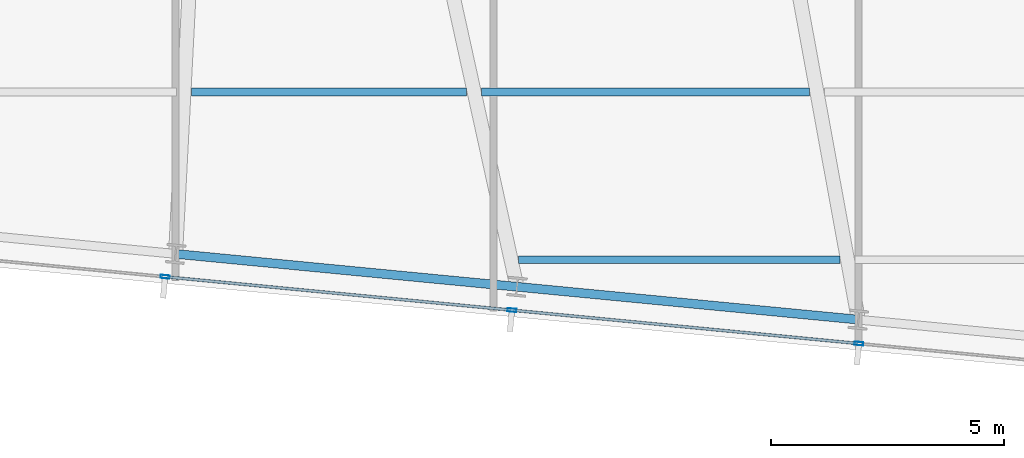
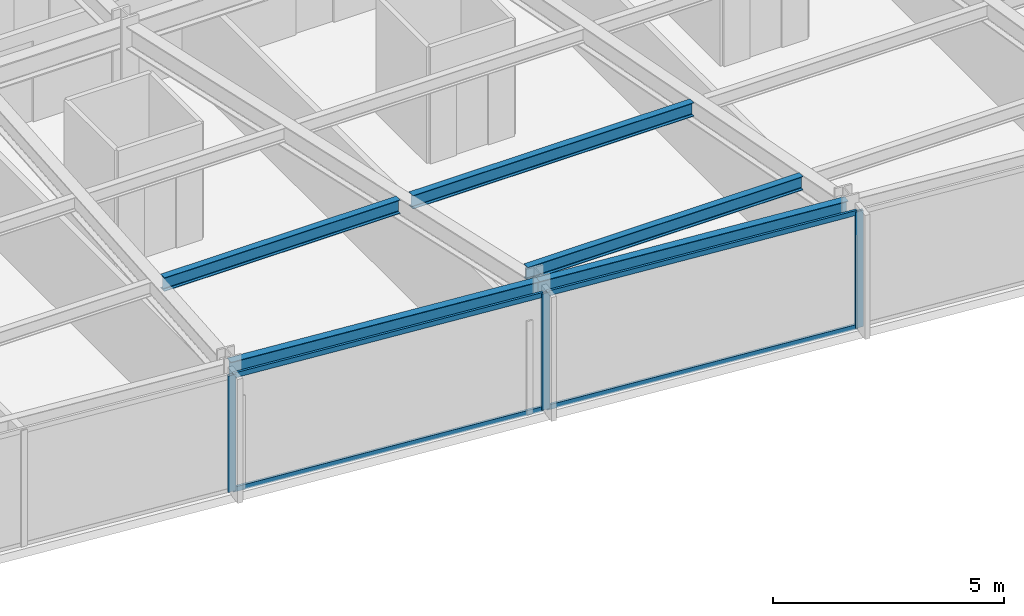
# One storey, part 6 of 38: 7 members, 5 beams, 1 element without a shape of its own.
"""IFC4 building model written with IfcOpenShell, lengths in metres."""

from ifc_helpers import new_model, si_unit, direction, frame, origin, origin_2d, place, context, subcontext, project, spatial, hollow_rectangle, i_section, extrude, material, material_profile, profile_set, type_object, element, aggregate, save


model = new_model("IFC4")

# Units and contexts
model_context = context("Model", 3, precision=1e-05, world=origin(), true_north=direction((0.0, 1.0)))
body_context = subcontext(model_context, "Body", "Model", "MODEL_VIEW")
ifc_project = project(units=[si_unit("LENGTHUNIT", "METRE"), si_unit("AREAUNIT", "SQUARE_METRE"), si_unit("VOLUMEUNIT", "CUBIC_METRE"), si_unit("PLANEANGLEUNIT", "RADIAN"), si_unit("MASSUNIT", "GRAM", prefix="KILO")], contexts=[model_context])

# Site, building, storey
site_placement = place(None, origin())
site = spatial("IfcSite", under=ifc_project, at=site_placement, CompositionType="ELEMENT")
building_placement = place(site_placement, origin())
building = spatial("IfcBuilding", under=site, at=building_placement, Name="Yelkora Congress Tower", CompositionType="ELEMENT")
storey_placement = place(building_placement, frame((0.0, 0.0, 172.10009765625)))
storey = spatial("IfcBuildingStorey", under=building, at=storey_placement, Name="L47", CompositionType="ELEMENT", Elevation=172.10009765625)

# Beams
ifc_material_1 = material(Name="Steel S355J2", Category="steel")
ifc_material_profile_1 = material_profile(ifc_material_1, i_section(OverallWidth=0.169921875, OverallDepth=0.360107421875, WebThickness=0.008056640625, FlangeThickness=0.0126953125, FilletRadius=0.01806640625, at=origin_2d()), Name="IPE 360")
ifc_profile_set_1 = profile_set([ifc_material_profile_1], Name="Steel S355J2")
beam_type_1 = type_object("IfcBeamType", Name="BM-JOIST-IPE360", PredefinedType="JOIST", material=ifc_profile_set_1)
beam_1_placement = place(storey_placement, frame((25.921630859375, 12.8212890625, 2.89990234375), z_axis=(1.0, 0.0, 0.0), x_axis=(0.0, 1.0, 0.0)))
element("IfcBeam", 1, at=beam_1_placement, inside=storey, type_object=beam_type_1, Name="L47 Composite Floor Joist 1", PredefinedType="JOIST", context=body_context, shape_type="SweptSolid", body=[
    extrude(i_section(OverallWidth=0.169921875, OverallDepth=0.360107421875, WebThickness=0.008056640625, FlangeThickness=0.0126953125, FilletRadius=0.01806640625, at=origin_2d()), origin(), (0.0, 0.0, 1.0), 6.896484375),
])
beam_2_placement = place(storey_placement, frame((18.905517578125, 16.421142578125, 2.89990234375), z_axis=(1.0, 0.0, 0.0), x_axis=(0.0, 1.0, 0.0)))
element("IfcBeam", 2, at=beam_2_placement, inside=storey, type_object=beam_type_1, Name="L47 Composite Floor Joist 7", PredefinedType="JOIST", context=body_context, shape_type="SweptSolid", body=[
    extrude(i_section(OverallWidth=0.169921875, OverallDepth=0.360107421875, WebThickness=0.008056640625, FlangeThickness=0.0126953125, FilletRadius=0.01806640625, at=origin_2d()), origin(), (0.0, 0.0, 1.0), 5.904541015625),
])
beam_3_placement = place(storey_placement, frame((25.130126953125, 16.421142578125, 2.89990234375), z_axis=(1.0, 0.0, 0.0), x_axis=(0.0, 1.0, 0.0)))
element("IfcBeam", 3, at=beam_3_placement, inside=storey, type_object=beam_type_1, Name="L47 Composite Floor Joist 8", PredefinedType="JOIST", context=body_context, shape_type="SweptSolid", body=[
    extrude(i_section(OverallWidth=0.169921875, OverallDepth=0.360107421875, WebThickness=0.008056640625, FlangeThickness=0.0126953125, FilletRadius=0.01806640625, at=origin_2d()), origin(), (0.0, 0.0, 1.0), 7.03125),
])
ifc_material_profile_2 = material_profile(ifc_material_1, i_section(OverallWidth=0.18994140625, OverallDepth=0.449951171875, WebThickness=0.009521484375, FlangeThickness=0.0146484375, FilletRadius=0.02099609375, at=origin_2d()), Name="IPE 450")
ifc_profile_set_2 = profile_set([ifc_material_profile_2], Name="Steel S355J2")
beam_type_2 = type_object("IfcBeamType", Name="BM-SPAN-IPE450", PredefinedType="SPANDREL", material=ifc_profile_set_2)
beam_4_placement = place(storey_placement, frame((18.56591796875, 12.947021484375, 2.85498046875), z_axis=(0.99539363353, -0.09587238564, 0.0), x_axis=(0.09587238564, 0.99539363353, 0.0)))
element("IfcBeam", 4, at=beam_4_placement, inside=storey, type_object=beam_type_2, Name="L47 Perimeter Beam 4", PredefinedType="SPANDREL", context=body_context, shape_type="SweptSolid", body=[
    extrude(i_section(OverallWidth=0.18994140625, OverallDepth=0.449951171875, WebThickness=0.009521484375, FlangeThickness=0.0146484375, FilletRadius=0.02099609375, at=origin_2d()), origin(), (0.0, 0.0, 1.0), 7.35693359375),
])
beam_5_placement = place(storey_placement, frame((25.888916015625, 12.24169921875, 2.85498046875), z_axis=(0.995397409467, -0.095833173935, 0.0), x_axis=(0.095833173935, 0.995397409467, 0.0)))
element("IfcBeam", 5, at=beam_5_placement, inside=storey, type_object=beam_type_2, Name="L47 Perimeter Beam 5", PredefinedType="SPANDREL", context=body_context, shape_type="SweptSolid", body=[
    extrude(i_section(OverallWidth=0.18994140625, OverallDepth=0.449951171875, WebThickness=0.009521484375, FlangeThickness=0.0146484375, FilletRadius=0.02099609375, at=origin_2d()), origin(), (0.0, 0.0, 1.0), 7.357421875),
])

# Curtain wall, members
ifc_material_2 = material(Name="Anodised aluminium and insulated glass", Category="aluminium")
curtain_wall_type = type_object("IfcCurtainWallType", Name="CW-SYS-B3", PredefinedType="NOTDEFINED", material=ifc_material_2)
curtain_wall_placement = place(storey_placement, origin())
curtain_wall = element("IfcCurtainWall", 6, at=curtain_wall_placement, inside=storey, type_object=curtain_wall_type, Name="L47 Unitised Curtain Wall 20", PredefinedType="NOTDEFINED")
ifc_material_3 = material(Name="Anodised aluminium 6063-T6", Category="aluminium")
ifc_material_profile_3 = material_profile(ifc_material_3, hollow_rectangle(XDim=0.070068359375, YDim=0.18994140625, WallThickness=0.00390625, at=origin_2d()), Name="ALU 70x190x4")
ifc_profile_set_3 = profile_set([ifc_material_profile_3], Name="Anodised aluminium 6063-T6")
member_type_1 = type_object("IfcMemberType", Name="MEM-ML-B3", PredefinedType="MULLION", material=ifc_profile_set_3)
member_1_placement = place(storey_placement, frame((33.2216796875, 11.0234375, 0.0), z_axis=(0.0, 0.0, 1.0), x_axis=(-0.095844680679, -0.995396301573, 0.0)))
member_1 = element("IfcMember", 7, at=member_1_placement, type_object=member_type_1, Name="CW-B3 mullion 4", PredefinedType="MULLION", context=body_context, shape_type="SweptSolid", body=[
    extrude(hollow_rectangle(XDim=0.070068359375, YDim=0.18994140625, WallThickness=0.00390625, at=origin_2d()), origin(), (0.0, 0.0, 1.0), 3.079833984375),
])
member_2_placement = place(storey_placement, frame((25.78173828125, 11.73974609375, 0.0), z_axis=(0.0, 0.0, 1.0), x_axis=(-0.095844680679, -0.995396301573, 0.0)))
member_2 = element("IfcMember", 8, at=member_2_placement, type_object=member_type_1, Name="CW-B3 mullion 5", PredefinedType="MULLION", context=body_context, shape_type="SweptSolid", body=[
    extrude(hollow_rectangle(XDim=0.070068359375, YDim=0.18994140625, WallThickness=0.00390625, at=origin_2d()), origin(), (0.0, 0.0, 1.0), 3.079833984375),
])
member_3_placement = place(storey_placement, frame((18.342041015625, 12.4560546875, 0.0), z_axis=(0.0, 0.0, 1.0), x_axis=(-0.095844680679, -0.995396301573, 0.0)))
member_3 = element("IfcMember", 9, at=member_3_placement, type_object=member_type_1, Name="CW-B3 mullion 6", PredefinedType="MULLION", context=body_context, shape_type="SweptSolid", body=[
    extrude(hollow_rectangle(XDim=0.070068359375, YDim=0.18994140625, WallThickness=0.00390625, at=origin_2d()), origin(), (0.0, 0.0, 1.0), 3.079833984375),
])
ifc_material_profile_4 = material_profile(ifc_material_3, hollow_rectangle(XDim=0.06005859375, YDim=0.1298828125, WallThickness=0.00390625, at=origin_2d()), Name="ALU 60x130x4")
ifc_profile_set_4 = profile_set([ifc_material_profile_4], Name="Anodised aluminium 6063-T6")
member_type_2 = type_object("IfcMemberType", Name="MEM-TR-B3", PredefinedType="USERDEFINED", material=ifc_profile_set_4)
member_4_placement = place(storey_placement, frame((33.18701171875, 11.02685546875, 0.02978515625), z_axis=(-0.995398934959, 0.095817327669, 0.0), x_axis=(-0.095817327669, -0.995398934959, 0.0)))
member_4 = element("IfcMember", 10, at=member_4_placement, type_object=member_type_2, Name="CW-B3 transom 4.1", ObjectType="TRANSOM", PredefinedType="USERDEFINED", context=body_context, shape_type="SweptSolid", body=[
    extrude(hollow_rectangle(XDim=0.06005859375, YDim=0.1298828125, WallThickness=0.00390625, at=origin_2d()), origin(), (0.0, 0.0, 1.0), 7.404541015625),
])
member_5_placement = place(storey_placement, frame((33.18701171875, 11.02685546875, 3.0498046875), z_axis=(-0.995398934959, 0.095817327669, 0.0), x_axis=(-0.095817327669, -0.995398934959, 0.0)))
member_5 = element("IfcMember", 11, at=member_5_placement, type_object=member_type_2, Name="CW-B3 transom 4.2", ObjectType="TRANSOM", PredefinedType="USERDEFINED", context=body_context, shape_type="SweptSolid", body=[
    extrude(hollow_rectangle(XDim=0.06005859375, YDim=0.1298828125, WallThickness=0.00390625, at=origin_2d()), origin(), (0.0, 0.0, 1.0), 7.404541015625),
])
member_6_placement = place(storey_placement, frame((25.7470703125, 11.7431640625, 0.02978515625), z_axis=(-0.995395789658, 0.095849997036, 0.0), x_axis=(-0.095849997036, -0.995395789658, 0.0)))
member_6 = element("IfcMember", 12, at=member_6_placement, type_object=member_type_2, Name="CW-B3 transom 5.1", ObjectType="TRANSOM", PredefinedType="USERDEFINED", context=body_context, shape_type="SweptSolid", body=[
    extrude(hollow_rectangle(XDim=0.06005859375, YDim=0.1298828125, WallThickness=0.00390625, at=origin_2d()), origin(), (0.0, 0.0, 1.0), 7.404541015625),
])
member_7_placement = place(storey_placement, frame((25.7470703125, 11.7431640625, 3.0498046875), z_axis=(-0.995395789658, 0.095849997036, 0.0), x_axis=(-0.095849997036, -0.995395789658, 0.0)))
member_7 = element("IfcMember", 13, at=member_7_placement, type_object=member_type_2, Name="CW-B3 transom 5.2", ObjectType="TRANSOM", PredefinedType="USERDEFINED", context=body_context, shape_type="SweptSolid", body=[
    extrude(hollow_rectangle(XDim=0.06005859375, YDim=0.1298828125, WallThickness=0.00390625, at=origin_2d()), origin(), (0.0, 0.0, 1.0), 7.404541015625),
])
aggregate(curtain_wall, [member_1, member_2, member_3, member_4, member_5, member_6, member_7])

save(model, "model.ifc")
